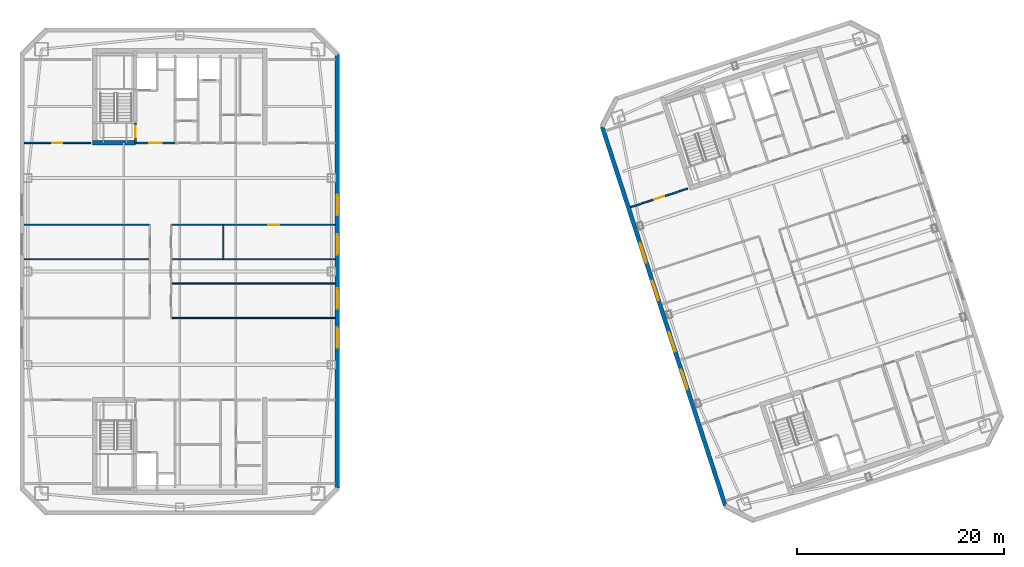
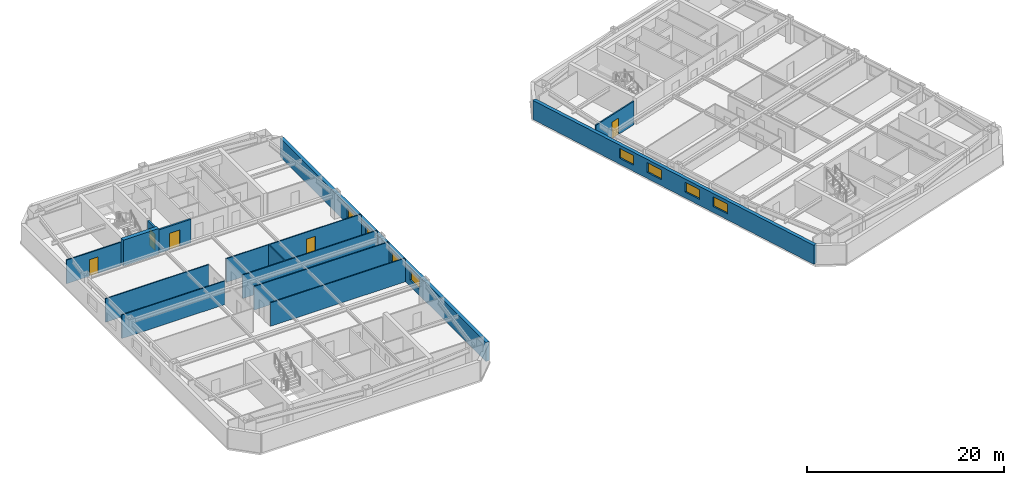
# One storey, part 6 of 13: 14 walls, 8 windows, 5 doors, 13 openings.
"""IFC4 building model written with IfcOpenShell, lengths in metres."""

from ifc_helpers import new_model, si_unit, direction, frame, frame_2d, origin, place, context, subcontext, project, spatial, rectangle, extrude, material, layer, layer_set, type_object, element, fill, save


model = new_model("IFC4")

# Units and contexts
model_context = context("Model", 3, precision=1e-05, world=origin(), true_north=direction((0.0, 1.0)))
body_context = subcontext(model_context, "Body", "Model", "MODEL_VIEW")
ifc_project = project(units=[si_unit("LENGTHUNIT", "METRE"), si_unit("AREAUNIT", "SQUARE_METRE"), si_unit("VOLUMEUNIT", "CUBIC_METRE"), si_unit("PLANEANGLEUNIT", "RADIAN"), si_unit("MASSUNIT", "GRAM", prefix="KILO")], contexts=[model_context])

# Site, building, storey
site_placement = place(None, origin())
site = spatial("IfcSite", under=ifc_project, at=site_placement, CompositionType="ELEMENT")
building_placement = place(site_placement, origin())
building = spatial("IfcBuilding", under=site, at=building_placement, Name="Qiaolan Cultural Towers", CompositionType="ELEMENT")
storey_placement = place(building_placement, frame((0.0, 0.0, 234.39990234375)))
storey = spatial("IfcBuildingStorey", under=building, at=storey_placement, Name="L63", CompositionType="ELEMENT", Elevation=234.39990234375)

# Wall
ifc_material_1 = material(Name="Concrete C50", Category="concrete")
ifc_layer_1 = layer(ifc_material_1, 0.449951171875)
ifc_layer_set_1 = layer_set([ifc_layer_1], Name="Concrete C50")
wall_type_1 = type_object("IfcWallType", Name="WL-CORE-450", PredefinedType="SHEAR", material=ifc_layer_set_1)
wall_1_placement = place(storey_placement, frame((21.574951171875, 46.39990234375, 0.0), z_axis=(0.0, 0.0, 1.0), x_axis=(1.0, 0.0, 0.0)))
element("IfcWall", 1, at=wall_1_placement, inside=storey, type_object=wall_type_1, Name="L63 T1-CN Stair Front Shear Wall", PredefinedType="SHEAR", context=body_context, shape_type="SweptSolid", body=[
    extrude(rectangle(XDim=4.14501953125, YDim=0.449951171875, at=frame_2d((2.072509765625, 0.0))), origin(), (0.0, 0.0, 1.0), 3.2001953125),
])

# Wall, openings, windows
ifc_material_2 = material(Name="Precast Concrete C50 Honed Stone Pier", Category="masonry")
ifc_layer_2 = layer(ifc_material_2, 0.39990234375)
ifc_layer_set_2 = layer_set([ifc_layer_2], Name="Precast Concrete C50 Honed Stone Pier")
wall_type_2 = type_object("IfcWallType", Name="WL-EXT-PIER-400", PredefinedType="SOLIDWALL", material=ifc_layer_set_2)
wall_2_placement = place(storey_placement, frame((45.199951171875, 54.89990234375, 0.0), z_axis=(0.0, 0.0, 1.0), x_axis=(0.0, -1.0, 0.0)))
wall_2 = element("IfcWall", 2, at=wall_2_placement, inside=storey, type_object=wall_type_2, Name="L63 West Tower Precast Pier Facade Wall F5", PredefinedType="SOLIDWALL", context=body_context, shape_type="SweptSolid", body=[
    extrude(rectangle(XDim=41.7998046875, YDim=0.39990234375, at=frame_2d((20.89990234375, 0.0))), origin(), (0.0, 0.0, 1.0), 2.360107421875),
])
opening_1_placement = place(wall_2_placement, frame((26.324951171875, 0.0, 0.75)))
opening_1 = element("IfcOpeningElement", 3, at=opening_1_placement, cuts=wall_2, Name="Opening W-06", PredefinedType="OPENING", context=body_context, shape_type="SweptSolid", body=[
    extrude(rectangle(XDim=1.949951171875, YDim=1.2099609375, at=frame_2d((0.97509765625, 0.60498046875))), frame((0.0, 0.2099609375, 0.0), z_axis=(0.0, -1.0, 0.0), x_axis=(1.0, 0.0, 0.0)), (0.0, 0.0, 1.0), 0.419921875),
])
opening_2_placement = place(wall_2_placement, frame((22.52490234375, 0.0, 0.75)))
opening_2 = element("IfcOpeningElement", 4, at=opening_2_placement, cuts=wall_2, Name="Opening W-06", PredefinedType="OPENING", context=body_context, shape_type="SweptSolid", body=[
    extrude(rectangle(XDim=1.949951171875, YDim=1.2099609375, at=frame_2d((0.97509765625, 0.60498046875))), frame((0.0, 0.2099609375, 0.0), z_axis=(0.0, -1.0, 0.0), x_axis=(1.0, 0.0, 0.0)), (0.0, 0.0, 1.0), 0.419921875),
])
opening_3_placement = place(wall_2_placement, frame((17.324951171875, 0.0, 0.75)))
opening_3 = element("IfcOpeningElement", 5, at=opening_3_placement, cuts=wall_2, Name="Opening W-06", PredefinedType="OPENING", context=body_context, shape_type="SweptSolid", body=[
    extrude(rectangle(XDim=1.949951171875, YDim=1.2099609375, at=frame_2d((0.97509765625, 0.60498046875))), frame((0.0, 0.2099609375, 0.0), z_axis=(0.0, -1.0, 0.0), x_axis=(1.0, 0.0, 0.0)), (0.0, 0.0, 1.0), 0.419921875),
])
opening_4_placement = place(wall_2_placement, frame((13.52490234375, 0.0, 0.75)))
opening_4 = element("IfcOpeningElement", 6, at=opening_4_placement, cuts=wall_2, Name="Opening W-06", PredefinedType="OPENING", context=body_context, shape_type="SweptSolid", body=[
    extrude(rectangle(XDim=1.949951171875, YDim=1.2099609375, at=frame_2d((0.97509765625, 0.60498046875))), frame((0.0, 0.2099609375, 0.0), z_axis=(0.0, -1.0, 0.0), x_axis=(1.0, 0.0, 0.0)), (0.0, 0.0, 1.0), 0.419921875),
])
ifc_material_3 = material(Name="Thermally Broken Aluminium Triple Low-E Glazing", Category="aluminium")
window_type = type_object("IfcWindowType", Name="WN-CHIC-1950", PartitioningType="SINGLE_PANEL", PredefinedType="WINDOW", material=ifc_material_3)
window_1_placement = place(opening_1_placement, origin())
window_1 = element("IfcWindow", 7, at=window_1_placement, inside=storey, type_object=window_type, Name="L63 T1 E Chicago Bay Window 1", OverallHeight=1.2099609375, OverallWidth=1.949951171875, PartitioningType="TRIPLE_PANEL_VERTICAL", PredefinedType="WINDOW", context=body_context, shape_type="SweptSolid", body=[
    extrude(rectangle(XDim=1.949951171875, YDim=1.2099609375, at=frame_2d((0.97509765625, 0.60498046875))), frame((0.0, 0.030029296875, 0.0), z_axis=(0.0, -1.0, 0.0), x_axis=(1.0, 0.0, 0.0)), (0.0, 0.0, 1.0), 0.06005859375),
])
fill(opening_1, window_1)
window_2_placement = place(opening_2_placement, origin())
window_2 = element("IfcWindow", 8, at=window_2_placement, inside=storey, type_object=window_type, Name="L63 T1 E Chicago Bay Window 2", OverallHeight=1.2099609375, OverallWidth=1.949951171875, PartitioningType="TRIPLE_PANEL_VERTICAL", PredefinedType="WINDOW", context=body_context, shape_type="SweptSolid", body=[
    extrude(rectangle(XDim=1.949951171875, YDim=1.2099609375, at=frame_2d((0.97509765625, 0.60498046875))), frame((0.0, 0.030029296875, 0.0), z_axis=(0.0, -1.0, 0.0), x_axis=(1.0, 0.0, 0.0)), (0.0, 0.0, 1.0), 0.06005859375),
])
fill(opening_2, window_2)
window_3_placement = place(opening_3_placement, origin())
window_3 = element("IfcWindow", 9, at=window_3_placement, inside=storey, type_object=window_type, Name="L63 T1 E Chicago Bay Window 3", OverallHeight=1.2099609375, OverallWidth=1.949951171875, PartitioningType="TRIPLE_PANEL_VERTICAL", PredefinedType="WINDOW", context=body_context, shape_type="SweptSolid", body=[
    extrude(rectangle(XDim=1.949951171875, YDim=1.2099609375, at=frame_2d((0.97509765625, 0.60498046875))), frame((0.0, 0.030029296875, 0.0), z_axis=(0.0, -1.0, 0.0), x_axis=(1.0, 0.0, 0.0)), (0.0, 0.0, 1.0), 0.06005859375),
])
fill(opening_3, window_3)
window_4_placement = place(opening_4_placement, origin())
window_4 = element("IfcWindow", 10, at=window_4_placement, inside=storey, type_object=window_type, Name="L63 T1 E Chicago Bay Window 4", OverallHeight=1.2099609375, OverallWidth=1.949951171875, PartitioningType="TRIPLE_PANEL_VERTICAL", PredefinedType="WINDOW", context=body_context, shape_type="SweptSolid", body=[
    extrude(rectangle(XDim=1.949951171875, YDim=1.2099609375, at=frame_2d((0.97509765625, 0.60498046875))), frame((0.0, 0.030029296875, 0.0), z_axis=(0.0, -1.0, 0.0), x_axis=(1.0, 0.0, 0.0)), (0.0, 0.0, 1.0), 0.06005859375),
])
fill(opening_4, window_4)

wall_3_placement = place(storey_placement, frame((82.618408203125, 11.41357421875, 0.0), z_axis=(0.0, 0.0, 1.0), x_axis=(-0.309016491071, 0.951056679828, 0.0)))
wall_3 = element("IfcWall", 11, at=wall_3_placement, inside=storey, type_object=wall_type_2, Name="L63 East Tower Precast Pier Facade Wall F1", PredefinedType="SOLIDWALL", context=body_context, shape_type="SweptSolid", body=[
    extrude(rectangle(XDim=38.39990234375, YDim=0.39990234375, at=frame_2d((19.199951171875, 0.0))), origin(), (0.0, 0.0, 1.0), 2.360107421875),
])
opening_5_placement = place(wall_3_placement, frame((11.824951171875, 0.0, 0.75)))
opening_5 = element("IfcOpeningElement", 12, at=opening_5_placement, cuts=wall_3, Name="Opening W-06", PredefinedType="OPENING", context=body_context, shape_type="SweptSolid", body=[
    extrude(rectangle(XDim=1.949951171875, YDim=1.2099609375, at=frame_2d((0.97509765625, 0.60498046875))), frame((0.0, 0.2099609375, 0.0), z_axis=(0.0, -1.0, 0.0), x_axis=(1.0, 0.0, 0.0)), (0.0, 0.0, 1.0), 0.419921875),
])
opening_6_placement = place(wall_3_placement, frame((15.625, 0.0, 0.75)))
opening_6 = element("IfcOpeningElement", 13, at=opening_6_placement, cuts=wall_3, Name="Opening W-06", PredefinedType="OPENING", context=body_context, shape_type="SweptSolid", body=[
    extrude(rectangle(XDim=1.949951171875, YDim=1.2099609375, at=frame_2d((0.97509765625, 0.60498046875))), frame((0.0, 0.2099609375, 0.0), z_axis=(0.0, -1.0, 0.0), x_axis=(1.0, 0.0, 0.0)), (0.0, 0.0, 1.0), 0.419921875),
])
opening_7_placement = place(wall_3_placement, frame((20.824951171875, 0.0, 0.75)))
opening_7 = element("IfcOpeningElement", 14, at=opening_7_placement, cuts=wall_3, Name="Opening W-06", PredefinedType="OPENING", context=body_context, shape_type="SweptSolid", body=[
    extrude(rectangle(XDim=1.949951171875, YDim=1.2099609375, at=frame_2d((0.97509765625, 0.60498046875))), frame((0.0, 0.2099609375, 0.0), z_axis=(0.0, -1.0, 0.0), x_axis=(1.0, 0.0, 0.0)), (0.0, 0.0, 1.0), 0.419921875),
])
opening_8_placement = place(wall_3_placement, frame((24.625, 0.0, 0.75)))
opening_8 = element("IfcOpeningElement", 15, at=opening_8_placement, cuts=wall_3, Name="Opening W-06", PredefinedType="OPENING", context=body_context, shape_type="SweptSolid", body=[
    extrude(rectangle(XDim=1.949951171875, YDim=1.2099609375, at=frame_2d((0.97509765625, 0.60498046875))), frame((0.0, 0.2099609375, 0.0), z_axis=(0.0, -1.0, 0.0), x_axis=(1.0, 0.0, 0.0)), (0.0, 0.0, 1.0), 0.419921875),
])
window_5_placement = place(opening_5_placement, origin())
window_5 = element("IfcWindow", 16, at=window_5_placement, inside=storey, type_object=window_type, Name="L63 T2 W Chicago Bay Window 1", OverallHeight=1.2099609375, OverallWidth=1.949951171875, PartitioningType="TRIPLE_PANEL_VERTICAL", PredefinedType="WINDOW", context=body_context, shape_type="SweptSolid", body=[
    extrude(rectangle(XDim=1.949951171875, YDim=1.2099609375, at=frame_2d((0.97509765625, 0.60498046875))), frame((0.0, 0.030029296875, 0.0), z_axis=(0.0, -1.0, 0.0), x_axis=(1.0, 0.0, 0.0)), (0.0, 0.0, 1.0), 0.06005859375),
])
fill(opening_5, window_5)
window_6_placement = place(opening_6_placement, origin())
window_6 = element("IfcWindow", 17, at=window_6_placement, inside=storey, type_object=window_type, Name="L63 T2 W Chicago Bay Window 2", OverallHeight=1.2099609375, OverallWidth=1.949951171875, PartitioningType="TRIPLE_PANEL_VERTICAL", PredefinedType="WINDOW", context=body_context, shape_type="SweptSolid", body=[
    extrude(rectangle(XDim=1.949951171875, YDim=1.2099609375, at=frame_2d((0.97509765625, 0.60498046875))), frame((0.0, 0.030029296875, 0.0), z_axis=(0.0, -1.0, 0.0), x_axis=(1.0, 0.0, 0.0)), (0.0, 0.0, 1.0), 0.06005859375),
])
fill(opening_6, window_6)
window_7_placement = place(opening_7_placement, origin())
window_7 = element("IfcWindow", 18, at=window_7_placement, inside=storey, type_object=window_type, Name="L63 T2 W Chicago Bay Window 3", OverallHeight=1.2099609375, OverallWidth=1.949951171875, PartitioningType="TRIPLE_PANEL_VERTICAL", PredefinedType="WINDOW", context=body_context, shape_type="SweptSolid", body=[
    extrude(rectangle(XDim=1.949951171875, YDim=1.2099609375, at=frame_2d((0.97509765625, 0.60498046875))), frame((0.0, 0.030029296875, 0.0), z_axis=(0.0, -1.0, 0.0), x_axis=(1.0, 0.0, 0.0)), (0.0, 0.0, 1.0), 0.06005859375),
])
fill(opening_7, window_7)
window_8_placement = place(opening_8_placement, origin())
window_8 = element("IfcWindow", 19, at=window_8_placement, inside=storey, type_object=window_type, Name="L63 T2 W Chicago Bay Window 4", OverallHeight=1.2099609375, OverallWidth=1.949951171875, PartitioningType="TRIPLE_PANEL_VERTICAL", PredefinedType="WINDOW", context=body_context, shape_type="SweptSolid", body=[
    extrude(rectangle(XDim=1.949951171875, YDim=1.2099609375, at=frame_2d((0.97509765625, 0.60498046875))), frame((0.0, 0.030029296875, 0.0), z_axis=(0.0, -1.0, 0.0), x_axis=(1.0, 0.0, 0.0)), (0.0, 0.0, 1.0), 0.06005859375),
])
fill(opening_8, window_8)

# Wall, opening, door
ifc_material_4 = material(Name="Concrete C35 Fire Wall", Category="concrete")
ifc_layer_3 = layer(ifc_material_4, 0.199951171875)
ifc_layer_set_3 = layer_set([ifc_layer_3], Name="Concrete C35 Fire Wall")
wall_type_3 = type_object("IfcWallType", Name="WL-FIRE-200", PredefinedType="PARTITIONING", material=ifc_layer_set_3)
wall_4_placement = place(storey_placement, frame((25.719970703125, 46.39990234375, 0.0), z_axis=(0.0, 0.0, 1.0), x_axis=(0.0, 1.0, 0.0)))
wall_4 = element("IfcWall", 20, at=wall_4_placement, inside=storey, type_object=wall_type_3, Name="L63 T1-CN Smokeproof Stair Entry Wall", PredefinedType="PARTITIONING", context=body_context, shape_type="SweptSolid", body=[
    extrude(rectangle(XDim=1.900146484375, YDim=0.199951171875, at=frame_2d((0.9501953125, 0.0))), origin(), (0.0, 0.0, 1.0), 2.925048828125),
])
opening_9_placement = place(wall_4_placement, frame((0.52001953125, 0.0, 0.0)))
opening_9 = element("IfcOpeningElement", 21, at=opening_9_placement, cuts=wall_4, Name="Opening FD-04", PredefinedType="OPENING", context=body_context, shape_type="SweptSolid", body=[
    extrude(rectangle(XDim=1.10009765625, YDim=2.050048828125, at=frame_2d((0.550048828125, 1.02490234375))), frame((0.0, 0.10986328125, 0.0), z_axis=(0.0, -1.0, 0.0), x_axis=(1.0, 0.0, 0.0)), (0.0, 0.0, 1.0), 0.219970703125),
])
ifc_material_5 = material(Name="Galvanized Steel Command Fire Door", Category="steel")
door_type_1 = type_object("IfcDoorType", Name="DR-FD90-1100", OperationType="NOTDEFINED", PredefinedType="DOOR", material=ifc_material_5)
door_1_placement = place(opening_9_placement, origin())
door_1 = element("IfcDoor", 22, at=door_1_placement, inside=storey, type_object=door_type_1, Name="L63 ST-W2 Smokeproof Stair Fire Door", OperationType="SINGLE_SWING_LEFT", OverallHeight=2.050048828125, OverallWidth=1.10009765625, PredefinedType="DOOR", context=body_context, shape_type="SweptSolid", body=[
    extrude(rectangle(XDim=1.10009765625, YDim=2.050048828125, at=frame_2d((0.550048828125, 1.02490234375))), frame((0.0, 0.02490234375, 0.0), z_axis=(0.0, -1.0, 0.0), x_axis=(1.0, 0.0, 0.0)), (0.0, 0.0, 1.0), 0.050048828125),
])
fill(opening_9, door_1)

wall_5_placement = place(storey_placement, frame((25.719970703125, 46.39990234375, 0.0), z_axis=(0.0, 0.0, 1.0), x_axis=(1.0, 0.0, 0.0)))
wall_5 = element("IfcWall", 23, at=wall_5_placement, inside=storey, type_object=wall_type_3, Name="L63 T1-CN Firefighting Lobby Front Wall", PredefinedType="PARTITIONING", context=body_context, shape_type="SweptSolid", body=[
    extrude(rectangle(XDim=3.830078125, YDim=0.199951171875, at=frame_2d((1.9150390625, 0.0))), origin(), (0.0, 0.0, 1.0), 2.925048828125),
])
opening_10_placement = place(wall_5_placement, frame((1.35009765625, 0.0, 0.0)))
opening_10 = element("IfcOpeningElement", 24, at=opening_10_placement, cuts=wall_5, Name="Opening FD-03", PredefinedType="OPENING", context=body_context, shape_type="SweptSolid", body=[
    extrude(rectangle(XDim=1.199951171875, YDim=2.050048828125, at=frame_2d((0.60009765625, 1.02490234375))), frame((0.0, 0.10986328125, 0.0), z_axis=(0.0, -1.0, 0.0), x_axis=(1.0, 0.0, 0.0)), (0.0, 0.0, 1.0), 0.219970703125),
])
ifc_material_6 = material(Name="Galvanized Steel Smokeproof Lobby Fire Door", Category="steel")
door_type_2 = type_object("IfcDoorType", Name="DR-FD90-1200", OperationType="NOTDEFINED", PredefinedType="DOOR", material=ifc_material_6)
door_2_placement = place(opening_10_placement, origin())
door_2 = element("IfcDoor", 25, at=door_2_placement, inside=storey, type_object=door_type_2, Name="L63 FFL-W2 Firefighting Lobby Fire Door", OperationType="SINGLE_SWING_LEFT", OverallHeight=2.050048828125, OverallWidth=1.199951171875, PredefinedType="DOOR", context=body_context, shape_type="SweptSolid", body=[
    extrude(rectangle(XDim=1.199951171875, YDim=2.050048828125, at=frame_2d((0.60009765625, 1.02490234375))), frame((0.0, 0.02490234375, 0.0), z_axis=(0.0, -1.0, 0.0), x_axis=(1.0, 0.0, 0.0)), (0.0, 0.0, 1.0), 0.050048828125),
])
fill(opening_10, door_2)

# Walls
ifc_material_7 = material(Name="Gypsum Stud Acoustic Partition", Category="gypsum")
ifc_layer_4 = layer(ifc_material_7, 0.1201171875)
ifc_layer_set_4 = layer_set([ifc_layer_4], Name="Gypsum Stud Acoustic Partition")
wall_type_4 = type_object("IfcWallType", Name="WL-PART-120", PredefinedType="PARTITIONING", material=ifc_layer_set_4)
wall_6_placement = place(storey_placement, frame((29.175048828125, 29.5, 0.0), z_axis=(0.0, 0.0, 1.0), x_axis=(1.0, 0.0, 0.0)))
element("IfcWall", 26, at=wall_6_placement, inside=storey, type_object=wall_type_4, Name="L63 T1 South Foyer East Wall", PredefinedType="PARTITIONING", context=body_context, shape_type="SweptSolid", body=[
    extrude(rectangle(XDim=15.824951171875, YDim=0.1201171875, at=frame_2d((7.91259765625, 0.0))), origin(), (0.0, 0.0, 1.0), 2.925048828125),
])
wall_7_placement = place(storey_placement, frame((15.0, 38.5, 0.0), z_axis=(0.0, 0.0, 1.0), x_axis=(1.0, 0.0, 0.0)))
element("IfcWall", 27, at=wall_7_placement, inside=storey, type_object=wall_type_4, Name="L63 T1 North Foyer West Wall", PredefinedType="PARTITIONING", context=body_context, shape_type="SweptSolid", body=[
    extrude(rectangle(XDim=12.125, YDim=0.1201171875, at=frame_2d((6.0625, 0.0))), origin(), (0.0, 0.0, 1.0), 2.925048828125),
])

# Wall, opening, door
wall_8_placement = place(storey_placement, frame((29.175048828125, 38.5, 0.0), z_axis=(0.0, 0.0, 1.0), x_axis=(1.0, 0.0, 0.0)))
wall_8 = element("IfcWall", 28, at=wall_8_placement, inside=storey, type_object=wall_type_4, Name="L63 T1 North Foyer East Wall", PredefinedType="PARTITIONING", context=body_context, shape_type="SweptSolid", body=[
    extrude(rectangle(XDim=15.824951171875, YDim=0.1201171875, at=frame_2d((7.91259765625, 0.0))), origin(), (0.0, 0.0, 1.0), 2.925048828125),
])
opening_11_placement = place(wall_8_placement, frame((9.385009765625, 0.0, 0.0)))
opening_11 = element("IfcOpeningElement", 29, at=opening_11_placement, cuts=wall_8, Name="Opening ID-07", PredefinedType="OPENING", context=body_context, shape_type="SweptSolid", body=[
    extrude(rectangle(XDim=1.050048828125, YDim=2.050048828125, at=frame_2d((0.52490234375, 1.02490234375))), frame((0.0, 0.070068359375, 0.0), z_axis=(0.0, -1.0, 0.0), x_axis=(1.0, 0.0, 0.0)), (0.0, 0.0, 1.0), 0.14013671875),
])
ifc_material_8 = material(Name="Oak Veneer Consultation Door", Category="timber")
door_type_3 = type_object("IfcDoorType", Name="DR-INT-1050", OperationType="NOTDEFINED", PredefinedType="DOOR", material=ifc_material_8)
door_3_placement = place(opening_11_placement, origin())
door_3 = element("IfcDoor", 30, at=door_3_placement, inside=storey, type_object=door_type_3, Name="L63 T1 Gallery Salon Door", OperationType="SINGLE_SWING_RIGHT", OverallHeight=2.050048828125, OverallWidth=1.050048828125, PredefinedType="DOOR", context=body_context, shape_type="SweptSolid", body=[
    extrude(rectangle(XDim=1.050048828125, YDim=2.050048828125, at=frame_2d((0.52490234375, 1.02490234375))), frame((0.0, 0.02490234375, 0.0), z_axis=(0.0, -1.0, 0.0), x_axis=(1.0, 0.0, 0.0)), (0.0, 0.0, 1.0), 0.050048828125),
])
fill(opening_11, door_3)

# Walls
wall_9_placement = place(storey_placement, frame((15.0, 35.169921875, 0.0), z_axis=(0.0, 0.0, 1.0), x_axis=(1.0, 0.0, 0.0)))
element("IfcWall", 31, at=wall_9_placement, inside=storey, type_object=wall_type_4, Name="L63 T1 Interior Wall", PredefinedType="PARTITIONING", context=body_context, shape_type="SweptSolid", body=[
    extrude(rectangle(XDim=12.125, YDim=0.1201171875, at=frame_2d((6.0625, 0.0))), origin(), (0.0, 0.0, 1.0), 2.925048828125),
])
for number, where, z_axis, x_axis, name in (
    (32, (29.175048828125, 32.830078125, 0.0), (0.0, 0.0, 1.0), (1.0, 0.0, 0.0), "L63 T1 Interior Wall"),
    (33, (29.175048828125, 35.169921875, 0.0), (0.0, 0.0, 1.0), (1.0, 0.0, 0.0), "L63 T1 Interior Wall"),
):
    element("IfcWall", number, at=place(storey_placement, frame(where, z_axis=z_axis, x_axis=x_axis)), inside=storey, type_object=wall_type_4, Name=name, PredefinedType="PARTITIONING", context=body_context, shape_type="SweptSolid", body=[
        extrude(rectangle(XDim=15.824951171875, YDim=0.1201171875, at=frame_2d((7.91259765625, 0.0))), origin(), (0.0, 0.0, 1.0), 2.925048828125),
    ])
wall_10_placement = place(storey_placement, frame((34.199951171875, 35.169921875, 0.0), z_axis=(0.0, 0.0, 1.0), x_axis=(0.0, 1.0, 0.0)))
element("IfcWall", 34, at=wall_10_placement, inside=storey, type_object=wall_type_4, Name="L63 T1 Interior Wall", PredefinedType="PARTITIONING", context=body_context, shape_type="SweptSolid", body=[
    extrude(rectangle(XDim=3.330078125, YDim=0.1201171875, at=frame_2d((1.6650390625, 0.0))), origin(), (0.0, 0.0, 1.0), 2.925048828125),
])

# Wall, opening, door
ifc_material_9 = material(Name="Autoclaved Aerated Concrete Block B06", Category="concrete")
ifc_layer_5 = layer(ifc_material_9, 0.14990234375)
ifc_layer_set_5 = layer_set([ifc_layer_5], Name="Autoclaved Aerated Concrete Block B06")
wall_type_5 = type_object("IfcWallType", Name="WL-PART-150", PredefinedType="PARTITIONING", material=ifc_layer_set_5)
wall_11_placement = place(storey_placement, frame((15.0, 46.39990234375, 0.0), z_axis=(0.0, 0.0, 1.0), x_axis=(1.0, 0.0, 0.0)))
wall_11 = element("IfcWall", 35, at=wall_11_placement, inside=storey, type_object=wall_type_5, Name="L63 T1 Flank Front FLK-NW", PredefinedType="PARTITIONING", context=body_context, shape_type="SweptSolid", body=[
    extrude(rectangle(XDim=6.39990234375, YDim=0.14990234375, at=frame_2d((3.199951171875, 0.0))), origin(), (0.0, 0.0, 1.0), 2.925048828125),
])
opening_12_placement = place(wall_11_placement, frame((2.68798828125, 0.0, 0.0)))
opening_12 = element("IfcOpeningElement", 36, at=opening_12_placement, cuts=wall_11, Name="Opening ID-04", PredefinedType="OPENING", context=body_context, shape_type="SweptSolid", body=[
    extrude(rectangle(XDim=1.0, YDim=2.050048828125, at=frame_2d((0.5, 1.02490234375))), frame((0.0, 0.0849609375, 0.0), z_axis=(0.0, -1.0, 0.0), x_axis=(1.0, 0.0, 0.0)), (0.0, 0.0, 1.0), 0.169921875),
])
ifc_material_10 = material(Name="Oak Veneer Acoustic Office Door", Category="timber")
door_type_4 = type_object("IfcDoorType", Name="DR-INT-1000", OperationType="NOTDEFINED", PredefinedType="DOOR", material=ifc_material_10)
door_4_placement = place(opening_12_placement, origin())
door_4 = element("IfcDoor", 37, at=door_4_placement, inside=storey, type_object=door_type_4, Name="L63 T1 Corner Studio Door", OperationType="SINGLE_SWING_LEFT", OverallHeight=2.050048828125, OverallWidth=1.0, PredefinedType="DOOR", context=body_context, shape_type="SweptSolid", body=[
    extrude(rectangle(XDim=1.0, YDim=2.050048828125, at=frame_2d((0.5, 1.02490234375))), frame((0.0, 0.02490234375, 0.0), z_axis=(0.0, -1.0, 0.0), x_axis=(1.0, 0.0, 0.0)), (0.0, 0.0, 1.0), 0.050048828125),
])
fill(opening_12, door_4)

wall_12_placement = place(storey_placement, frame((73.476318359375, 40.197265625, 0.0), z_axis=(0.0, 0.0, 1.0), x_axis=(0.951059431056, 0.309008023519, 0.0)))
wall_12 = element("IfcWall", 38, at=wall_12_placement, inside=storey, type_object=wall_type_5, Name="L63 T2 Flank Front FLK-NW", PredefinedType="PARTITIONING", context=body_context, shape_type="SweptSolid", body=[
    extrude(rectangle(XDim=5.800048828125, YDim=0.14990234375, at=frame_2d((2.89990234375, 0.0))), origin(), (0.0, 0.0, 1.0), 2.925048828125),
])
opening_13_placement = place(wall_12_placement, frame((2.43603515625, 0.0, 0.0)))
opening_13 = element("IfcOpeningElement", 39, at=opening_13_placement, cuts=wall_12, Name="Opening ID-04", PredefinedType="OPENING", context=body_context, shape_type="SweptSolid", body=[
    extrude(rectangle(XDim=1.0, YDim=2.050048828125, at=frame_2d((0.5, 1.02490234375))), frame((0.0, 0.0849609375, 0.0), z_axis=(0.0, -1.0, 0.0), x_axis=(1.0, 0.0, 0.0)), (0.0, 0.0, 1.0), 0.169921875),
])
door_5_placement = place(opening_13_placement, origin())
door_5 = element("IfcDoor", 40, at=door_5_placement, inside=storey, type_object=door_type_4, Name="L63 T2 Corner Studio Door", OperationType="SINGLE_SWING_LEFT", OverallHeight=2.050048828125, OverallWidth=1.0, PredefinedType="DOOR", context=body_context, shape_type="SweptSolid", body=[
    extrude(rectangle(XDim=1.0, YDim=2.050048828125, at=frame_2d((0.5, 1.02490234375))), frame((0.0, 0.02490234375, 0.0), z_axis=(0.0, -1.0, 0.0), x_axis=(1.0, 0.0, 0.0)), (0.0, 0.0, 1.0), 0.050048828125),
])
fill(opening_13, door_5)

save(model, "model.ifc")
